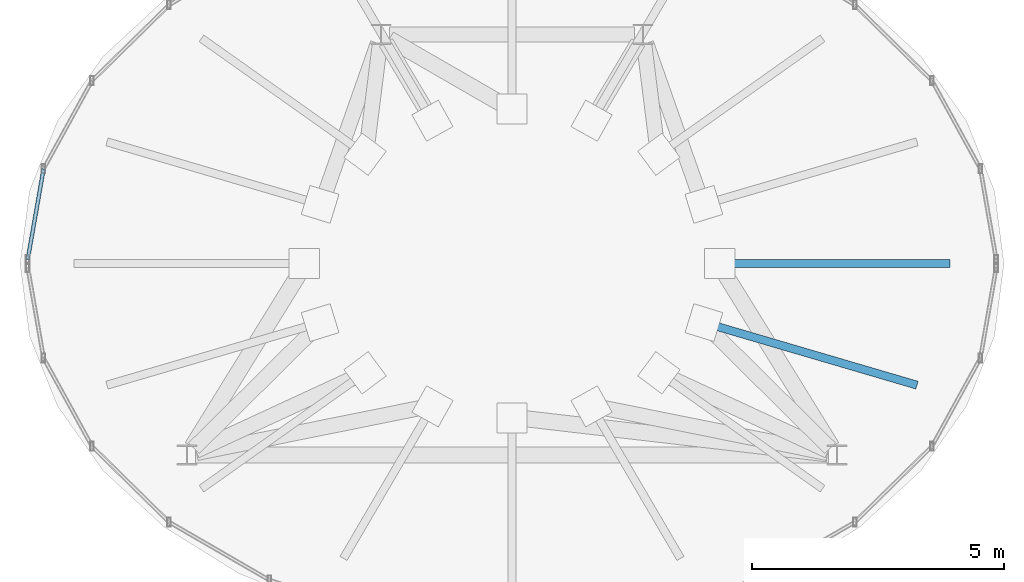
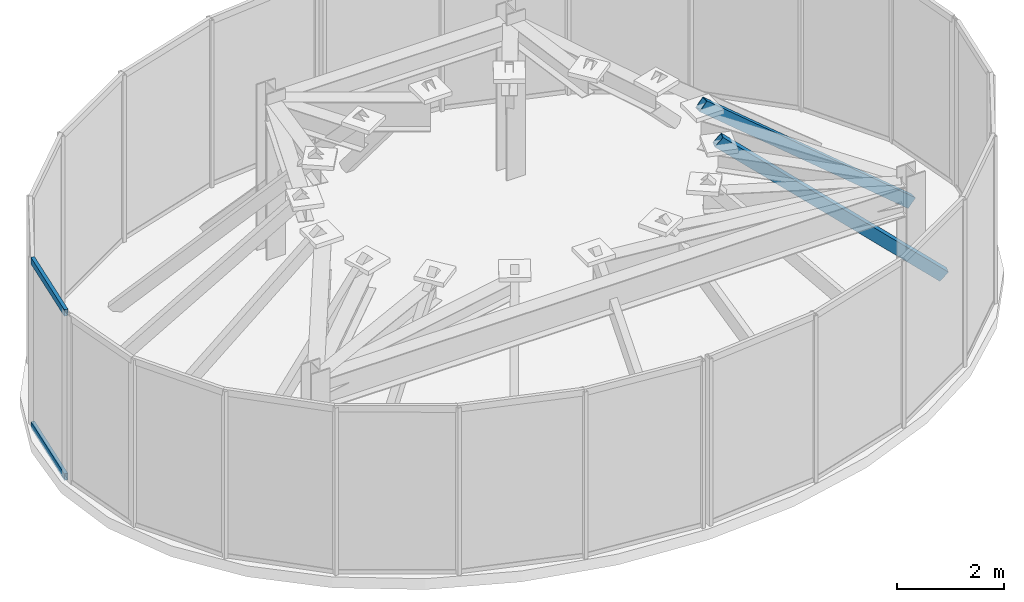
# One storey, part 4 of 8: 4 members, 1 element without a shape of its own.
"""IFC4 building model written with IfcOpenShell, lengths in metres."""

from ifc_helpers import new_model, si_unit, direction, frame, origin, origin_2d, place, context, subcontext, project, spatial, hollow_rectangle, extrude, material, material_profile, profile_set, type_object, element, aggregate, save


model = new_model("IFC4")

# Units and contexts
model_context = context("Model", 3, precision=1e-05, world=origin(), true_north=direction((0.0, 1.0)))
body_context = subcontext(model_context, "Body", "Model", "MODEL_VIEW")
ifc_project = project(units=[si_unit("LENGTHUNIT", "METRE"), si_unit("AREAUNIT", "SQUARE_METRE"), si_unit("VOLUMEUNIT", "CUBIC_METRE"), si_unit("PLANEANGLEUNIT", "RADIAN"), si_unit("MASSUNIT", "GRAM", prefix="KILO")], contexts=[model_context])

# Site, building, storey
site_placement = place(None, origin())
site = spatial("IfcSite", under=ifc_project, at=site_placement, CompositionType="ELEMENT")
building_placement = place(site_placement, origin())
building = spatial("IfcBuilding", under=site, at=building_placement, Name="Vorneva Point Tower", CompositionType="ELEMENT")
storey_placement = place(building_placement, frame((0.0, 0.0, 310.60009765625)))
storey = spatial("IfcBuildingStorey", under=building, at=storey_placement, Name="C05", CompositionType="ELEMENT", Elevation=310.60009765625)

# Curtain wall, members
ifc_material_1 = material(Name="Pale anodised aluminium", Category="aluminium")
curtain_wall_type = type_object("IfcCurtainWallType", Name="CW-CRN-SYS", PredefinedType="NOTDEFINED", material=ifc_material_1)
curtain_wall_placement = place(storey_placement, origin())
curtain_wall = element("IfcCurtainWall", 1, at=curtain_wall_placement, inside=storey, type_object=curtain_wall_type, Name="C05 Unitised Curtain Wall CW-C05-Q2", PredefinedType="NOTDEFINED")
ifc_material_profile_1 = material_profile(ifc_material_1, hollow_rectangle(XDim=0.074951171875, YDim=0.14990234375, WallThickness=0.00390625, at=origin_2d()), Name="AL-TRN 150x75x4")
ifc_profile_set_1 = profile_set([ifc_material_profile_1], Name="Pale anodised aluminium")
member_type_1 = type_object("IfcMemberType", Name="CW-TRN-150", PredefinedType="USERDEFINED", material=ifc_profile_set_1)
member_1_placement = place(storey_placement, frame((28.7001953125, 27.87890625, 0.02001953125), z_axis=(-0.172085400856, -0.98508203456, 0.0), x_axis=(0.98508203456, -0.172085400856, 0.0)))
member_1 = element("IfcMember", 2, at=member_1_placement, type_object=member_type_1, Name="CW-C05-Q2 Transom 06.1", ObjectType="TRANSOM", PredefinedType="USERDEFINED", context=body_context, shape_type="SweptSolid", body=[
    extrude(hollow_rectangle(XDim=0.074951171875, YDim=0.14990234375, WallThickness=0.00390625, at=origin_2d()), origin(), (0.0, 0.0, 1.0), 1.827392578125),
])
member_2_placement = place(storey_placement, frame((28.7001953125, 27.87890625, 3.77978515625), z_axis=(-0.172085400856, -0.98508203456, 0.0), x_axis=(0.98508203456, -0.172085400856, 0.0)))
member_2 = element("IfcMember", 3, at=member_2_placement, type_object=member_type_1, Name="CW-C05-Q2 Transom 06.2", ObjectType="TRANSOM", PredefinedType="USERDEFINED", context=body_context, shape_type="SweptSolid", body=[
    extrude(hollow_rectangle(XDim=0.074951171875, YDim=0.14990234375, WallThickness=0.00390625, at=origin_2d()), origin(), (0.0, 0.0, 1.0), 1.827392578125),
])
aggregate(curtain_wall, [member_1, member_2])

# Members
ifc_material_2 = material(Name="Steel S355", Category="steel")
ifc_material_profile_2 = material_profile(ifc_material_2, hollow_rectangle(XDim=0.159912109375, YDim=0.25, WallThickness=0.010009765625, at=origin_2d()), Name="PP 250x160x10")
ifc_profile_set_2 = profile_set([ifc_material_profile_2], Name="Steel S355")
member_type_2 = type_object("IfcMemberType", Name="MBR-CRN-PP250", PredefinedType="CHORD", material=ifc_profile_set_2)
member_3_placement = place(storey_placement, frame((46.617919921875, 26.0, 0.0), z_axis=(-0.765301430526, 0.0, 0.643672059698), x_axis=(0.0, -1.0, 0.0)))
element("IfcMember", 4, at=member_3_placement, inside=storey, type_object=member_type_2, Name="Crown Tapered Frame Rib C05-01", PredefinedType="CHORD", context=body_context, shape_type="SweptSolid", body=[
    extrude(hollow_rectangle(XDim=0.159912109375, YDim=0.25, WallThickness=0.010009765625, at=origin_2d()), origin(), (0.0, 0.0, 1.0), 5.9033203125),
])
member_4_placement = place(storey_placement, frame((45.9619140625, 23.608154296875, 0.0), z_axis=(-0.722669994686, 0.212020395002, 0.657871895496), x_axis=(-0.281519043956, -0.959555640852, 0.0)))
element("IfcMember", 5, at=member_4_placement, inside=storey, type_object=member_type_2, Name="Crown Tapered Frame Rib C05-16", PredefinedType="CHORD", context=body_context, shape_type="SweptSolid", body=[
    extrude(hollow_rectangle(XDim=0.159912109375, YDim=0.25, WallThickness=0.010009765625, at=origin_2d()), origin(), (0.0, 0.0, 1.0), 5.77587890625),
])

save(model, "model.ifc")
